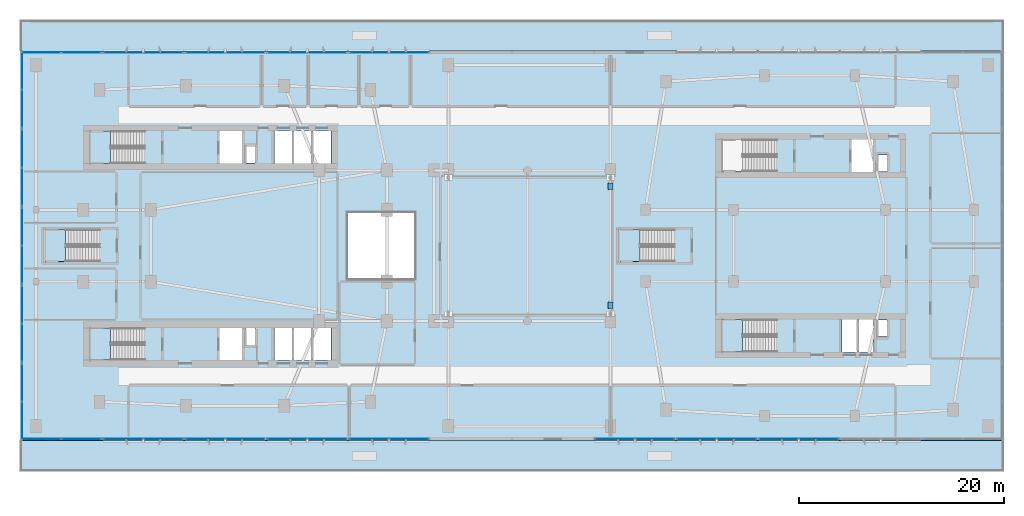
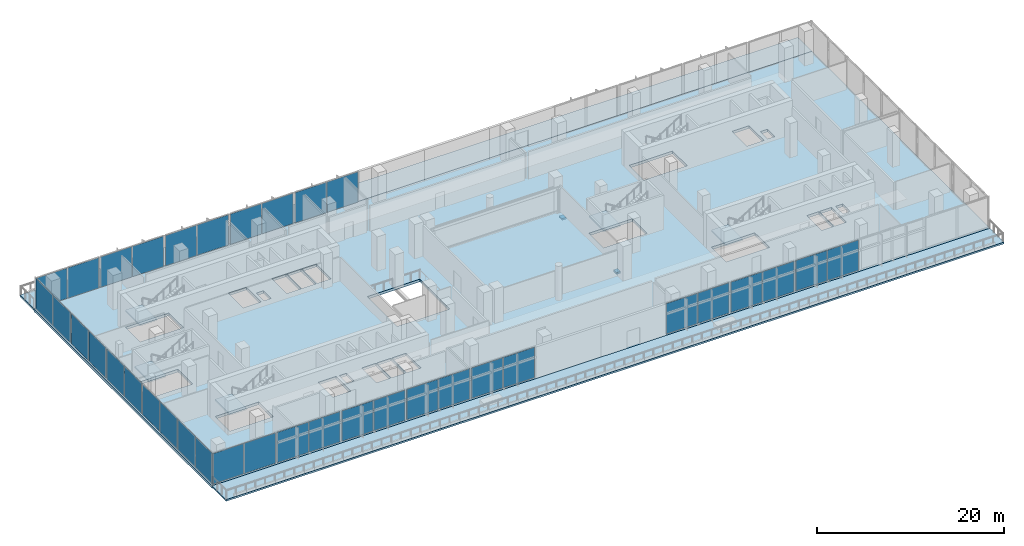
# One storey, part 11 of 31: 36 plates, 8 slabs, 2 members, 23 elements without a shape of their own.
"""IFC4 building model written with IfcOpenShell, lengths in metres."""

from ifc_helpers import new_model, si_unit, derived_unit, direction, frame, origin, origin_2d, place, context, subcontext, project, spatial, polyline, rectangle, outline, extrude, material, layer, layer_set, material_profile, profile_set, type_object, element, aggregate, save


model = new_model("IFC4")

# Units and contexts
model_context = context("Model", 3, precision=1e-05, world=origin(), true_north=direction((0.0, 1.0)))
body_context = subcontext(model_context, "Body", "Model", "MODEL_VIEW")
ifc_project = project(units=[si_unit("LENGTHUNIT", "METRE"), si_unit("AREAUNIT", "SQUARE_METRE"), si_unit("VOLUMEUNIT", "CUBIC_METRE"), si_unit("PLANEANGLEUNIT", "RADIAN"), si_unit("MASSUNIT", "GRAM", prefix="KILO"), derived_unit("THERMALTRANSMITTANCEUNIT", [(si_unit("POWERUNIT", "WATT"), 1), (si_unit("LENGTHUNIT", "METRE"), -2), (si_unit("THERMODYNAMICTEMPERATUREUNIT", "KELVIN"), -1)])], contexts=[model_context])

# Site, building, storey
site_placement = place(None, origin())
site = spatial("IfcSite", under=ifc_project, at=site_placement, CompositionType="ELEMENT")
building_placement = place(site_placement, origin())
building = spatial("IfcBuilding", under=site, at=building_placement, Name="Kivonza Crest Hotel", CompositionType="ELEMENT")
storey_placement = place(building_placement, frame((0.0, 0.0, 15.0)))
storey = spatial("IfcBuildingStorey", under=building, at=storey_placement, Name="L03", CompositionType="ELEMENT", Elevation=15.0)

# Members
ifc_material_1 = material(Name="Steel S355", Category="steel")
ifc_material_profile = material_profile(ifc_material_1, rectangle(XDim=0.52001953125, YDim=0.239990234375, at=origin_2d()), Name="BEARING 520x240")
ifc_profile_set = profile_set([ifc_material_profile], Name="Steel S355")
member_type = type_object("IfcMemberType", Name="MB-BEARING-520", PredefinedType="USERDEFINED", material=ifc_profile_set)
for number, where, z_axis, x_axis, name in (
    (1, (57.60009765625, 30.47998046875, -0.22998046875), (0.0, 1.0, 0.0), (-1.0, 0.0, 0.0), "Sliding bearing BRG-POD-N unguided biaxial PTFE spherical assembly"),
    (2, (57.60009765625, 18.8798828125, -0.22998046875), (0.0, 1.0, 0.0), (-1.0, 0.0, 0.0), "Sliding bearing BRG-POD-S unguided biaxial PTFE spherical assembly"),
):
    element("IfcMember", number, at=place(storey_placement, frame(where, z_axis=z_axis, x_axis=x_axis)), inside=storey, type_object=member_type, Name=name, ObjectType="BEARING", PredefinedType="USERDEFINED", context=body_context, shape_type="SweptSolid", body=[
        extrude(rectangle(XDim=0.52001953125, YDim=0.239990234375, at=origin_2d()), origin(), (0.0, 0.0, 1.0), 0.64013671875),
    ])

# Curtain wall, plates
ifc_material_2 = material(Name="Anodised bronze aluminium and low-E double glazing", Category="aluminium")
ifc_layer_1 = layer(ifc_material_2, 0.199951171875)
ifc_layer_set_1 = layer_set([ifc_layer_1], Name="Anodised bronze aluminium and low-E double glazing")
curtain_wall_type = type_object("IfcCurtainWallType", Name="CW-SYS-6", PredefinedType="NOTDEFINED", material=ifc_layer_set_1)
curtain_wall_1_placement = place(storey_placement, origin())
curtain_wall_1 = element("IfcCurtainWall", 3, at=curtain_wall_1_placement, inside=storey, type_object=curtain_wall_type, Name="L03 unitised curtain wall CW-POD-L03-01", PredefinedType="NOTDEFINED")
ifc_material_3 = material(Name="Acoustic triple-laminated low-E glazing", Category="glass")
ifc_layer_2 = layer(ifc_material_3, 0.035888671875)
ifc_layer_set_2 = layer_set([ifc_layer_2], Name="Acoustic triple-laminated low-E glazing")
plate_type = type_object("IfcPlateType", Name="CW-PNL-36", PredefinedType="CURTAIN_PANEL", material=ifc_layer_set_2)
plate_1_placement = place(storey_placement, frame((2.115478515625, 6.159912109375, 0.0751953125), z_axis=(0.0, 0.0, 1.0), x_axis=(1.0, 0.0, 0.0)))
plate_1 = element("IfcPlate", 4, at=plate_1_placement, type_object=plate_type, Name="CW-6 panel 1.1", PredefinedType="CURTAIN_PANEL", context=body_context, shape_type="SweptSolid", body=[
    extrude(rectangle(XDim=3.841064453125, YDim=0.035888671875, at=origin_2d()), origin(), (0.0, 0.0, 1.0), 3.949951171875),
])
plate_2_placement = place(storey_placement, frame((6.031494140625, 6.159912109375, 0.0751953125), z_axis=(0.0, 0.0, 1.0), x_axis=(1.0, 0.0, 0.0)))
plate_2 = element("IfcPlate", 5, at=plate_2_placement, type_object=plate_type, Name="CW-6 panel 2.1", PredefinedType="CURTAIN_PANEL", context=body_context, shape_type="SweptSolid", body=[
    extrude(rectangle(XDim=3.841064453125, YDim=0.035888671875, at=origin_2d()), origin(), (0.0, 0.0, 1.0), 3.949951171875),
])
aggregate(curtain_wall_1, [plate_1, plate_2])

curtain_wall_2_placement = place(storey_placement, origin())
curtain_wall_2 = element("IfcCurtainWall", 6, at=curtain_wall_2_placement, inside=storey, type_object=curtain_wall_type, Name="L03 unitised curtain wall CW-POD-L03-02", PredefinedType="NOTDEFINED")
plate_3_placement = place(storey_placement, frame((10.102294921875, 6.159912109375, 0.0751953125), z_axis=(0.0, 0.0, 1.0), x_axis=(1.0, 0.0, 0.0)))
plate_3 = element("IfcPlate", 7, at=plate_3_placement, type_object=plate_type, Name="CW-6 panel 1.1", PredefinedType="CURTAIN_PANEL", context=body_context, shape_type="SweptSolid", body=[
    extrude(rectangle(XDim=3.840576171875, YDim=0.035888671875, at=origin_2d()), origin(), (0.0, 0.0, 1.0), 3.949951171875),
])
plate_4_placement = place(storey_placement, frame((14.017822265625, 6.159912109375, 0.0751953125), z_axis=(0.0, 0.0, 1.0), x_axis=(1.0, 0.0, 0.0)))
plate_4 = element("IfcPlate", 8, at=plate_4_placement, type_object=plate_type, Name="CW-6 panel 2.1", PredefinedType="CURTAIN_PANEL", context=body_context, shape_type="SweptSolid", body=[
    extrude(rectangle(XDim=3.840576171875, YDim=0.035888671875, at=origin_2d()), origin(), (0.0, 0.0, 1.0), 3.949951171875),
])
aggregate(curtain_wall_2, [plate_3, plate_4])

curtain_wall_3_placement = place(storey_placement, origin())
curtain_wall_3 = element("IfcCurtainWall", 9, at=curtain_wall_3_placement, inside=storey, type_object=curtain_wall_type, Name="L03 unitised curtain wall CW-POD-L03-03", PredefinedType="NOTDEFINED")
plate_5_placement = place(storey_placement, frame((18.08837890625, 6.159912109375, 0.0751953125), z_axis=(0.0, 0.0, 1.0), x_axis=(1.0, 0.0, 0.0)))
plate_5 = element("IfcPlate", 10, at=plate_5_placement, type_object=plate_type, Name="CW-6 panel 1.1", PredefinedType="CURTAIN_PANEL", context=body_context, shape_type="SweptSolid", body=[
    extrude(rectangle(XDim=3.841064453125, YDim=0.035888671875, at=origin_2d()), origin(), (0.0, 0.0, 1.0), 3.949951171875),
])
plate_6_placement = place(storey_placement, frame((22.00439453125, 6.159912109375, 0.0751953125), z_axis=(0.0, 0.0, 1.0), x_axis=(1.0, 0.0, 0.0)))
plate_6 = element("IfcPlate", 11, at=plate_6_placement, type_object=plate_type, Name="CW-6 panel 2.1", PredefinedType="CURTAIN_PANEL", context=body_context, shape_type="SweptSolid", body=[
    extrude(rectangle(XDim=3.841064453125, YDim=0.035888671875, at=origin_2d()), origin(), (0.0, 0.0, 1.0), 3.949951171875),
])
aggregate(curtain_wall_3, [plate_5, plate_6])

curtain_wall_4_placement = place(storey_placement, origin())
curtain_wall_4 = element("IfcCurtainWall", 12, at=curtain_wall_4_placement, inside=storey, type_object=curtain_wall_type, Name="L03 unitised curtain wall CW-POD-L03-04", PredefinedType="NOTDEFINED")
plate_7_placement = place(storey_placement, frame((26.075439453125, 6.159912109375, 0.0751953125), z_axis=(0.0, 0.0, 1.0), x_axis=(1.0, 0.0, 0.0)))
plate_7 = element("IfcPlate", 13, at=plate_7_placement, type_object=plate_type, Name="CW-6 panel 1.1", PredefinedType="CURTAIN_PANEL", context=body_context, shape_type="SweptSolid", body=[
    extrude(rectangle(XDim=3.841064453125, YDim=0.035888671875, at=origin_2d()), origin(), (0.0, 0.0, 1.0), 3.949951171875),
])
plate_8_placement = place(storey_placement, frame((29.991455078125, 6.159912109375, 0.0751953125), z_axis=(0.0, 0.0, 1.0), x_axis=(1.0, 0.0, 0.0)))
plate_8 = element("IfcPlate", 14, at=plate_8_placement, type_object=plate_type, Name="CW-6 panel 2.1", PredefinedType="CURTAIN_PANEL", context=body_context, shape_type="SweptSolid", body=[
    extrude(rectangle(XDim=3.841064453125, YDim=0.035888671875, at=origin_2d()), origin(), (0.0, 0.0, 1.0), 3.949951171875),
])
aggregate(curtain_wall_4, [plate_7, plate_8])

curtain_wall_5_placement = place(storey_placement, origin())
curtain_wall_5 = element("IfcCurtainWall", 15, at=curtain_wall_5_placement, inside=storey, type_object=curtain_wall_type, Name="L03 unitised curtain wall CW-POD-L03-05", PredefinedType="NOTDEFINED")
plate_9_placement = place(storey_placement, frame((34.062255859375, 6.159912109375, 0.0751953125), z_axis=(0.0, 0.0, 1.0), x_axis=(1.0, 0.0, 0.0)))
plate_9 = element("IfcPlate", 16, at=plate_9_placement, type_object=plate_type, Name="CW-6 panel 1.1", PredefinedType="CURTAIN_PANEL", context=body_context, shape_type="SweptSolid", body=[
    extrude(rectangle(XDim=3.840576171875, YDim=0.035888671875, at=origin_2d()), origin(), (0.0, 0.0, 1.0), 3.949951171875),
])
plate_10_placement = place(storey_placement, frame((37.977783203125, 6.159912109375, 0.0751953125), z_axis=(0.0, 0.0, 1.0), x_axis=(1.0, 0.0, 0.0)))
plate_10 = element("IfcPlate", 17, at=plate_10_placement, type_object=plate_type, Name="CW-6 panel 2.1", PredefinedType="CURTAIN_PANEL", context=body_context, shape_type="SweptSolid", body=[
    extrude(rectangle(XDim=3.840576171875, YDim=0.035888671875, at=origin_2d()), origin(), (0.0, 0.0, 1.0), 3.949951171875),
])
aggregate(curtain_wall_5, [plate_9, plate_10])

curtain_wall_6_placement = place(storey_placement, origin())
curtain_wall_6 = element("IfcCurtainWall", 18, at=curtain_wall_6_placement, inside=storey, type_object=curtain_wall_type, Name="L03 unitised curtain wall CW-POD-L03-08", PredefinedType="NOTDEFINED")
plate_11_placement = place(storey_placement, frame((58.022216796875, 6.159912109375, 0.0751953125), z_axis=(0.0, 0.0, 1.0), x_axis=(1.0, 0.0, 0.0)))
plate_11 = element("IfcPlate", 19, at=plate_11_placement, type_object=plate_type, Name="CW-6 panel 1.1", PredefinedType="CURTAIN_PANEL", context=body_context, shape_type="SweptSolid", body=[
    extrude(rectangle(XDim=3.840576171875, YDim=0.035888671875, at=origin_2d()), origin(), (0.0, 0.0, 1.0), 3.949951171875),
])
plate_12_placement = place(storey_placement, frame((61.937744140625, 6.159912109375, 0.0751953125), z_axis=(0.0, 0.0, 1.0), x_axis=(1.0, 0.0, 0.0)))
plate_12 = element("IfcPlate", 20, at=plate_12_placement, type_object=plate_type, Name="CW-6 panel 2.1", PredefinedType="CURTAIN_PANEL", context=body_context, shape_type="SweptSolid", body=[
    extrude(rectangle(XDim=3.840576171875, YDim=0.035888671875, at=origin_2d()), origin(), (0.0, 0.0, 1.0), 3.949951171875),
])
aggregate(curtain_wall_6, [plate_11, plate_12])

curtain_wall_7_placement = place(storey_placement, origin())
curtain_wall_7 = element("IfcCurtainWall", 21, at=curtain_wall_7_placement, inside=storey, type_object=curtain_wall_type, Name="L03 unitised curtain wall CW-POD-L03-09", PredefinedType="NOTDEFINED")
plate_13_placement = place(storey_placement, frame((66.008544921875, 6.159912109375, 0.0751953125), z_axis=(0.0, 0.0, 1.0), x_axis=(1.0, 0.0, 0.0)))
plate_13 = element("IfcPlate", 22, at=plate_13_placement, type_object=plate_type, Name="CW-6 panel 1.1", PredefinedType="CURTAIN_PANEL", context=body_context, shape_type="SweptSolid", body=[
    extrude(rectangle(XDim=3.841064453125, YDim=0.035888671875, at=origin_2d()), origin(), (0.0, 0.0, 1.0), 3.949951171875),
])
plate_14_placement = place(storey_placement, frame((69.924560546875, 6.159912109375, 0.0751953125), z_axis=(0.0, 0.0, 1.0), x_axis=(1.0, 0.0, 0.0)))
plate_14 = element("IfcPlate", 23, at=plate_14_placement, type_object=plate_type, Name="CW-6 panel 2.1", PredefinedType="CURTAIN_PANEL", context=body_context, shape_type="SweptSolid", body=[
    extrude(rectangle(XDim=3.841064453125, YDim=0.035888671875, at=origin_2d()), origin(), (0.0, 0.0, 1.0), 3.949951171875),
])
aggregate(curtain_wall_7, [plate_13, plate_14])

curtain_wall_8_placement = place(storey_placement, origin())
curtain_wall_8 = element("IfcCurtainWall", 24, at=curtain_wall_8_placement, inside=storey, type_object=curtain_wall_type, Name="L03 unitised curtain wall CW-POD-L03-10", PredefinedType="NOTDEFINED")
plate_15_placement = place(storey_placement, frame((73.99560546875, 6.159912109375, 0.0751953125), z_axis=(0.0, 0.0, 1.0), x_axis=(1.0, 0.0, 0.0)))
plate_15 = element("IfcPlate", 25, at=plate_15_placement, type_object=plate_type, Name="CW-6 panel 1.1", PredefinedType="CURTAIN_PANEL", context=body_context, shape_type="SweptSolid", body=[
    extrude(rectangle(XDim=3.841064453125, YDim=0.035888671875, at=origin_2d()), origin(), (0.0, 0.0, 1.0), 3.949951171875),
])
plate_16_placement = place(storey_placement, frame((77.91162109375, 6.159912109375, 0.0751953125), z_axis=(0.0, 0.0, 1.0), x_axis=(1.0, 0.0, 0.0)))
plate_16 = element("IfcPlate", 26, at=plate_16_placement, type_object=plate_type, Name="CW-6 panel 2.1", PredefinedType="CURTAIN_PANEL", context=body_context, shape_type="SweptSolid", body=[
    extrude(rectangle(XDim=3.841064453125, YDim=0.035888671875, at=origin_2d()), origin(), (0.0, 0.0, 1.0), 3.949951171875),
])
aggregate(curtain_wall_8, [plate_15, plate_16])

curtain_wall_9_placement = place(storey_placement, origin())
curtain_wall_9 = element("IfcCurtainWall", 27, at=curtain_wall_9_placement, inside=storey, type_object=curtain_wall_type, Name="L03 unitised curtain wall CW-POD-L03-25", PredefinedType="NOTDEFINED")
plate_17_placement = place(storey_placement, frame((37.977783203125, 43.840087890625, 0.0751953125), z_axis=(0.0, 0.0, 1.0), x_axis=(-1.0, 0.0, 0.0)))
plate_17 = element("IfcPlate", 28, at=plate_17_placement, type_object=plate_type, Name="CW-6 panel 1.1", PredefinedType="CURTAIN_PANEL", context=body_context, shape_type="SweptSolid", body=[
    extrude(rectangle(XDim=3.840576171875, YDim=0.035888671875, at=origin_2d()), origin(), (0.0, 0.0, 1.0), 3.949951171875),
])
plate_18_placement = place(storey_placement, frame((34.062255859375, 43.840087890625, 0.0751953125), z_axis=(0.0, 0.0, 1.0), x_axis=(-1.0, 0.0, 0.0)))
plate_18 = element("IfcPlate", 29, at=plate_18_placement, type_object=plate_type, Name="CW-6 panel 2.1", PredefinedType="CURTAIN_PANEL", context=body_context, shape_type="SweptSolid", body=[
    extrude(rectangle(XDim=3.840576171875, YDim=0.035888671875, at=origin_2d()), origin(), (0.0, 0.0, 1.0), 3.949951171875),
])
aggregate(curtain_wall_9, [plate_17, plate_18])

curtain_wall_10_placement = place(storey_placement, origin())
curtain_wall_10 = element("IfcCurtainWall", 30, at=curtain_wall_10_placement, inside=storey, type_object=curtain_wall_type, Name="L03 unitised curtain wall CW-POD-L03-26", PredefinedType="NOTDEFINED")
plate_19_placement = place(storey_placement, frame((29.991455078125, 43.840087890625, 0.0751953125), z_axis=(0.0, 0.0, 1.0), x_axis=(-1.0, 0.0, 0.0)))
plate_19 = element("IfcPlate", 31, at=plate_19_placement, type_object=plate_type, Name="CW-6 panel 1.1", PredefinedType="CURTAIN_PANEL", context=body_context, shape_type="SweptSolid", body=[
    extrude(rectangle(XDim=3.841064453125, YDim=0.035888671875, at=origin_2d()), origin(), (0.0, 0.0, 1.0), 3.949951171875),
])
plate_20_placement = place(storey_placement, frame((26.075439453125, 43.840087890625, 0.0751953125), z_axis=(0.0, 0.0, 1.0), x_axis=(-1.0, 0.0, 0.0)))
plate_20 = element("IfcPlate", 32, at=plate_20_placement, type_object=plate_type, Name="CW-6 panel 2.1", PredefinedType="CURTAIN_PANEL", context=body_context, shape_type="SweptSolid", body=[
    extrude(rectangle(XDim=3.841064453125, YDim=0.035888671875, at=origin_2d()), origin(), (0.0, 0.0, 1.0), 3.949951171875),
])
aggregate(curtain_wall_10, [plate_19, plate_20])

curtain_wall_11_placement = place(storey_placement, origin())
curtain_wall_11 = element("IfcCurtainWall", 33, at=curtain_wall_11_placement, inside=storey, type_object=curtain_wall_type, Name="L03 unitised curtain wall CW-POD-L03-27", PredefinedType="NOTDEFINED")
plate_21_placement = place(storey_placement, frame((22.00439453125, 43.840087890625, 0.0751953125), z_axis=(0.0, 0.0, 1.0), x_axis=(-1.0, 0.0, 0.0)))
plate_21 = element("IfcPlate", 34, at=plate_21_placement, type_object=plate_type, Name="CW-6 panel 1.1", PredefinedType="CURTAIN_PANEL", context=body_context, shape_type="SweptSolid", body=[
    extrude(rectangle(XDim=3.841064453125, YDim=0.035888671875, at=origin_2d()), origin(), (0.0, 0.0, 1.0), 3.949951171875),
])
plate_22_placement = place(storey_placement, frame((18.08837890625, 43.840087890625, 0.0751953125), z_axis=(0.0, 0.0, 1.0), x_axis=(-1.0, 0.0, 0.0)))
plate_22 = element("IfcPlate", 35, at=plate_22_placement, type_object=plate_type, Name="CW-6 panel 2.1", PredefinedType="CURTAIN_PANEL", context=body_context, shape_type="SweptSolid", body=[
    extrude(rectangle(XDim=3.841064453125, YDim=0.035888671875, at=origin_2d()), origin(), (0.0, 0.0, 1.0), 3.949951171875),
])
aggregate(curtain_wall_11, [plate_21, plate_22])

curtain_wall_12_placement = place(storey_placement, origin())
curtain_wall_12 = element("IfcCurtainWall", 36, at=curtain_wall_12_placement, inside=storey, type_object=curtain_wall_type, Name="L03 unitised curtain wall CW-POD-L03-28", PredefinedType="NOTDEFINED")
plate_23_placement = place(storey_placement, frame((14.017822265625, 43.840087890625, 0.0751953125), z_axis=(0.0, 0.0, 1.0), x_axis=(-1.0, 0.0, 0.0)))
plate_23 = element("IfcPlate", 37, at=plate_23_placement, type_object=plate_type, Name="CW-6 panel 1.1", PredefinedType="CURTAIN_PANEL", context=body_context, shape_type="SweptSolid", body=[
    extrude(rectangle(XDim=3.840576171875, YDim=0.035888671875, at=origin_2d()), origin(), (0.0, 0.0, 1.0), 3.949951171875),
])
plate_24_placement = place(storey_placement, frame((10.102294921875, 43.840087890625, 0.0751953125), z_axis=(0.0, 0.0, 1.0), x_axis=(-1.0, 0.0, 0.0)))
plate_24 = element("IfcPlate", 38, at=plate_24_placement, type_object=plate_type, Name="CW-6 panel 2.1", PredefinedType="CURTAIN_PANEL", context=body_context, shape_type="SweptSolid", body=[
    extrude(rectangle(XDim=3.840576171875, YDim=0.035888671875, at=origin_2d()), origin(), (0.0, 0.0, 1.0), 3.949951171875),
])
aggregate(curtain_wall_12, [plate_23, plate_24])

curtain_wall_13_placement = place(storey_placement, origin())
curtain_wall_13 = element("IfcCurtainWall", 39, at=curtain_wall_13_placement, inside=storey, type_object=curtain_wall_type, Name="L03 unitised curtain wall CW-POD-L03-29", PredefinedType="NOTDEFINED")
plate_25_placement = place(storey_placement, frame((6.031494140625, 43.840087890625, 0.0751953125), z_axis=(0.0, 0.0, 1.0), x_axis=(-1.0, 0.0, 0.0)))
plate_25 = element("IfcPlate", 40, at=plate_25_placement, type_object=plate_type, Name="CW-6 panel 1.1", PredefinedType="CURTAIN_PANEL", context=body_context, shape_type="SweptSolid", body=[
    extrude(rectangle(XDim=3.841064453125, YDim=0.035888671875, at=origin_2d()), origin(), (0.0, 0.0, 1.0), 3.949951171875),
])
plate_26_placement = place(storey_placement, frame((2.115478515625, 43.840087890625, 0.0751953125), z_axis=(0.0, 0.0, 1.0), x_axis=(-1.0, 0.0, 0.0)))
plate_26 = element("IfcPlate", 41, at=plate_26_placement, type_object=plate_type, Name="CW-6 panel 2.1", PredefinedType="CURTAIN_PANEL", context=body_context, shape_type="SweptSolid", body=[
    extrude(rectangle(XDim=3.841064453125, YDim=0.035888671875, at=origin_2d()), origin(), (0.0, 0.0, 1.0), 3.949951171875),
])
aggregate(curtain_wall_13, [plate_25, plate_26])

curtain_wall_14_placement = place(storey_placement, origin())
curtain_wall_14 = element("IfcCurtainWall", 42, at=curtain_wall_14_placement, inside=storey, type_object=curtain_wall_type, Name="L03 unitised curtain wall CW-POD-L03-30", PredefinedType="NOTDEFINED")
plate_27_placement = place(storey_placement, frame((0.239990234375, 42.061279296875, 0.0751953125), z_axis=(0.0, 0.0, 1.0), x_axis=(0.0, -1.0, 0.0)))
plate_27 = element("IfcPlate", 43, at=plate_27_placement, type_object=plate_type, Name="CW-6 panel 1.1", PredefinedType="CURTAIN_PANEL", context=body_context, shape_type="SweptSolid", body=[
    extrude(rectangle(XDim=3.6474609375, YDim=0.035888671875, at=origin_2d()), origin(), (0.0, 0.0, 1.0), 3.949951171875),
])
plate_28_placement = place(storey_placement, frame((0.239990234375, 38.3388671875, 0.0751953125), z_axis=(0.0, 0.0, 1.0), x_axis=(0.0, -1.0, 0.0)))
plate_28 = element("IfcPlate", 44, at=plate_28_placement, type_object=plate_type, Name="CW-6 panel 2.1", PredefinedType="CURTAIN_PANEL", context=body_context, shape_type="SweptSolid", body=[
    extrude(rectangle(XDim=3.6474609375, YDim=0.035888671875, at=origin_2d()), origin(), (0.0, 0.0, 1.0), 3.949951171875),
])
aggregate(curtain_wall_14, [plate_27, plate_28])

curtain_wall_15_placement = place(storey_placement, origin())
curtain_wall_15 = element("IfcCurtainWall", 45, at=curtain_wall_15_placement, inside=storey, type_object=curtain_wall_type, Name="L03 unitised curtain wall CW-POD-L03-31", PredefinedType="NOTDEFINED")
plate_29_placement = place(storey_placement, frame((0.239990234375, 34.461181640625, 0.0751953125), z_axis=(0.0, 0.0, 1.0), x_axis=(0.0, -1.0, 0.0)))
plate_29 = element("IfcPlate", 46, at=plate_29_placement, type_object=plate_type, Name="CW-6 panel 1.1", PredefinedType="CURTAIN_PANEL", context=body_context, shape_type="SweptSolid", body=[
    extrude(rectangle(XDim=3.6474609375, YDim=0.035888671875, at=origin_2d()), origin(), (0.0, 0.0, 1.0), 3.949951171875),
])
plate_30_placement = place(storey_placement, frame((0.239990234375, 30.73876953125, 0.0751953125), z_axis=(0.0, 0.0, 1.0), x_axis=(0.0, -1.0, 0.0)))
plate_30 = element("IfcPlate", 47, at=plate_30_placement, type_object=plate_type, Name="CW-6 panel 2.1", PredefinedType="CURTAIN_PANEL", context=body_context, shape_type="SweptSolid", body=[
    extrude(rectangle(XDim=3.6474609375, YDim=0.035888671875, at=origin_2d()), origin(), (0.0, 0.0, 1.0), 3.949951171875),
])
aggregate(curtain_wall_15, [plate_29, plate_30])

curtain_wall_16_placement = place(storey_placement, origin())
curtain_wall_16 = element("IfcCurtainWall", 48, at=curtain_wall_16_placement, inside=storey, type_object=curtain_wall_type, Name="L03 unitised curtain wall CW-POD-L03-32", PredefinedType="NOTDEFINED")
plate_31_placement = place(storey_placement, frame((0.239990234375, 26.861328125, 0.0751953125), z_axis=(0.0, 0.0, 1.0), x_axis=(0.0, -1.0, 0.0)))
plate_31 = element("IfcPlate", 49, at=plate_31_placement, type_object=plate_type, Name="CW-6 panel 1.1", PredefinedType="CURTAIN_PANEL", context=body_context, shape_type="SweptSolid", body=[
    extrude(rectangle(XDim=3.6474609375, YDim=0.035888671875, at=origin_2d()), origin(), (0.0, 0.0, 1.0), 3.949951171875),
])
plate_32_placement = place(storey_placement, frame((0.239990234375, 23.138671875, 0.0751953125), z_axis=(0.0, 0.0, 1.0), x_axis=(0.0, -1.0, 0.0)))
plate_32 = element("IfcPlate", 50, at=plate_32_placement, type_object=plate_type, Name="CW-6 panel 2.1", PredefinedType="CURTAIN_PANEL", context=body_context, shape_type="SweptSolid", body=[
    extrude(rectangle(XDim=3.6474609375, YDim=0.035888671875, at=origin_2d()), origin(), (0.0, 0.0, 1.0), 3.949951171875),
])
aggregate(curtain_wall_16, [plate_31, plate_32])

curtain_wall_17_placement = place(storey_placement, origin())
curtain_wall_17 = element("IfcCurtainWall", 51, at=curtain_wall_17_placement, inside=storey, type_object=curtain_wall_type, Name="L03 unitised curtain wall CW-POD-L03-33", PredefinedType="NOTDEFINED")
plate_33_placement = place(storey_placement, frame((0.239990234375, 19.26123046875, 0.0751953125), z_axis=(0.0, 0.0, 1.0), x_axis=(0.0, -1.0, 0.0)))
plate_33 = element("IfcPlate", 52, at=plate_33_placement, type_object=plate_type, Name="CW-6 panel 1.1", PredefinedType="CURTAIN_PANEL", context=body_context, shape_type="SweptSolid", body=[
    extrude(rectangle(XDim=3.6474609375, YDim=0.035888671875, at=origin_2d()), origin(), (0.0, 0.0, 1.0), 3.949951171875),
])
plate_34_placement = place(storey_placement, frame((0.239990234375, 15.538818359375, 0.0751953125), z_axis=(0.0, 0.0, 1.0), x_axis=(0.0, -1.0, 0.0)))
plate_34 = element("IfcPlate", 53, at=plate_34_placement, type_object=plate_type, Name="CW-6 panel 2.1", PredefinedType="CURTAIN_PANEL", context=body_context, shape_type="SweptSolid", body=[
    extrude(rectangle(XDim=3.6474609375, YDim=0.035888671875, at=origin_2d()), origin(), (0.0, 0.0, 1.0), 3.949951171875),
])
aggregate(curtain_wall_17, [plate_33, plate_34])

curtain_wall_18_placement = place(storey_placement, origin())
curtain_wall_18 = element("IfcCurtainWall", 54, at=curtain_wall_18_placement, inside=storey, type_object=curtain_wall_type, Name="L03 unitised curtain wall CW-POD-L03-34", PredefinedType="NOTDEFINED")
plate_35_placement = place(storey_placement, frame((0.239990234375, 11.6611328125, 0.0751953125), z_axis=(0.0, 0.0, 1.0), x_axis=(0.0, -1.0, 0.0)))
plate_35 = element("IfcPlate", 55, at=plate_35_placement, type_object=plate_type, Name="CW-6 panel 1.1", PredefinedType="CURTAIN_PANEL", context=body_context, shape_type="SweptSolid", body=[
    extrude(rectangle(XDim=3.6474609375, YDim=0.035888671875, at=origin_2d()), origin(), (0.0, 0.0, 1.0), 3.949951171875),
])
plate_36_placement = place(storey_placement, frame((0.239990234375, 7.938720703125, 0.0751953125), z_axis=(0.0, 0.0, 1.0), x_axis=(0.0, -1.0, 0.0)))
plate_36 = element("IfcPlate", 56, at=plate_36_placement, type_object=plate_type, Name="CW-6 panel 2.1", PredefinedType="CURTAIN_PANEL", context=body_context, shape_type="SweptSolid", body=[
    extrude(rectangle(XDim=3.6474609375, YDim=0.035888671875, at=origin_2d()), origin(), (0.0, 0.0, 1.0), 3.949951171875),
])
aggregate(curtain_wall_18, [plate_35, plate_36])

# Stair, slab
ifc_material_4 = material(Name="Concrete C40/50", Category="concrete")
stair_type = type_object("IfcStairType", Name="ST-DL-26R", PredefinedType="HALF_TURN_STAIR", material=ifc_material_4)
stair_1_placement = place(storey_placement, origin())
stair_1 = element("IfcStair", 57, at=stair_1_placement, inside=storey, type_object=stair_type, Name="L03 Protected Exit Stair ST-T1-N", PredefinedType="HALF_TURN_STAIR")
ifc_layer_3 = layer(ifc_material_4, 0.199951171875)
ifc_layer_set_3 = layer_set([ifc_layer_3], Name="Concrete C40/50")
slab_type_1 = type_object("IfcSlabType", Name="SL-LAND-200", PredefinedType="LANDING", material=ifc_layer_set_3)
slab_1_placement = place(storey_placement, frame((0.0, 0.0, 2.050048828125)))
slab_1 = element("IfcSlab", 58, at=slab_1_placement, type_object=slab_type_1, Name="ST-T1-N landing 1", PredefinedType="LANDING", context=body_context, shape_type="SweptSolid", body=[
    extrude(outline(polyline([(8.8798828125, 36.159912109375), (6.800048828125, 36.159912109375), (6.800048828125, 33.02001953125), (8.8798828125, 33.02001953125), (8.8798828125, 36.159912109375)])), origin(), (0.0, 0.0, 1.0), 0.199951171875),
])
aggregate(stair_1, [slab_1])

stair_2_placement = place(storey_placement, origin())
stair_2 = element("IfcStair", 59, at=stair_2_placement, inside=storey, type_object=stair_type, Name="L03 Protected Exit Stair ST-T1-S", PredefinedType="HALF_TURN_STAIR")
slab_2_placement = place(storey_placement, frame((0.0, 0.0, 2.050048828125)))
slab_2 = element("IfcSlab", 60, at=slab_2_placement, type_object=slab_type_1, Name="ST-T1-S landing 1", PredefinedType="LANDING", context=body_context, shape_type="SweptSolid", body=[
    extrude(outline(polyline([(8.8798828125, 17.0), (6.800048828125, 17.0), (6.800048828125, 13.860107421875), (8.8798828125, 13.860107421875), (8.8798828125, 17.0)])), origin(), (0.0, 0.0, 1.0), 0.199951171875),
])
aggregate(stair_2, [slab_2])

stair_3_placement = place(storey_placement, origin())
stair_3 = element("IfcStair", 61, at=stair_3_placement, inside=storey, type_object=stair_type, Name="L03 Protected Exit Stair ST-T2-S", PredefinedType="HALF_TURN_STAIR")
slab_3_placement = place(storey_placement, frame((0.0, 0.0, 2.050048828125)))
slab_3 = element("IfcSlab", 62, at=slab_3_placement, type_object=slab_type_1, Name="ST-T2-S landing 1", PredefinedType="LANDING", context=body_context, shape_type="SweptSolid", body=[
    extrude(outline(polyline([(70.47998046875, 17.800048828125), (68.39990234375, 17.800048828125), (68.39990234375, 14.659912109375), (70.47998046875, 14.659912109375), (70.47998046875, 17.800048828125)])), origin(), (0.0, 0.0, 1.0), 0.199951171875),
])
aggregate(stair_3, [slab_3])

stair_4_placement = place(storey_placement, origin())
stair_4 = element("IfcStair", 63, at=stair_4_placement, inside=storey, type_object=stair_type, Name="L03 Podium Escape Stair ST-POD-W", PredefinedType="HALF_TURN_STAIR")
slab_4_placement = place(storey_placement, frame((0.0, 0.0, 2.050048828125)))
slab_4 = element("IfcSlab", 64, at=slab_4_placement, type_object=slab_type_1, Name="ST-POD-W landing 1", PredefinedType="LANDING", context=body_context, shape_type="SweptSolid", body=[
    extrude(outline(polyline([(4.47998046875, 26.580078125), (2.39990234375, 26.580078125), (2.39990234375, 23.43994140625), (4.47998046875, 23.43994140625), (4.47998046875, 26.580078125)])), origin(), (0.0, 0.0, 1.0), 0.199951171875),
])
aggregate(stair_4, [slab_4])

stair_5_placement = place(storey_placement, origin())
stair_5 = element("IfcStair", 65, at=stair_5_placement, inside=storey, type_object=stair_type, Name="L03 Podium Escape Stair ST-POD-E", PredefinedType="HALF_TURN_STAIR")
slab_5_placement = place(storey_placement, frame((0.0, 0.0, 2.050048828125)))
slab_5 = element("IfcSlab", 66, at=slab_5_placement, type_object=slab_type_1, Name="ST-POD-E landing 1", PredefinedType="LANDING", context=body_context, shape_type="SweptSolid", body=[
    extrude(outline(polyline([(60.47998046875, 26.580078125), (58.39990234375, 26.580078125), (58.39990234375, 23.43994140625), (60.47998046875, 23.43994140625), (60.47998046875, 26.580078125)])), origin(), (0.0, 0.0, 1.0), 0.199951171875),
])
aggregate(stair_5, [slab_5])

# Slabs
ifc_layer_4 = layer(ifc_material_4, 0.35009765625)
ifc_layer_set_4 = layer_set([ifc_layer_4], Name="Concrete C40/50")
slab_type_2 = type_object("IfcSlabType", Name="SL-POD-350", PredefinedType="FLOOR", material=ifc_layer_set_4)
slab_6_placement = place(storey_placement, frame((0.0, 0.0, -0.35009765625)))
element("IfcSlab", 67, at=slab_6_placement, inside=storey, type_object=slab_type_2, Name="L03 structural floor plate", PredefinedType="FLOOR", context=body_context, shape_type="SweptSolid", body=[
    extrude(outline(polyline([(0.080078125, 6.0), (95.919921875, 6.0), (95.919921875, 44.0), (0.080078125, 44.0), (0.080078125, 6.0)]), holes=[polyline([(6.800048828125, 33.02001953125), (12.159912109375, 33.02001953125), (12.159912109375, 36.159912109375), (6.800048828125, 36.159912109375), (6.800048828125, 33.02001953125)]), polyline([(6.800048828125, 13.860107421875), (12.159912109375, 13.860107421875), (12.159912109375, 17.0), (6.800048828125, 17.0), (6.800048828125, 13.860107421875)]), polyline([(68.39990234375, 32.219970703125), (73.760009765625, 32.219970703125), (73.760009765625, 35.360107421875), (68.39990234375, 35.360107421875), (68.39990234375, 32.219970703125)]), polyline([(68.39990234375, 14.659912109375), (73.760009765625, 14.659912109375), (73.760009765625, 17.800048828125), (68.39990234375, 17.800048828125), (68.39990234375, 14.659912109375)]), polyline([(2.39990234375, 23.43994140625), (7.760009765625, 23.43994140625), (7.760009765625, 26.580078125), (2.39990234375, 26.580078125), (2.39990234375, 23.43994140625)]), polyline([(58.39990234375, 23.43994140625), (63.760009765625, 23.43994140625), (63.760009765625, 26.580078125), (58.39990234375, 26.580078125), (58.39990234375, 23.43994140625)]), polyline([(22.080078125, 33.0400390625), (22.969970703125, 33.0400390625), (22.969970703125, 34.679931640625), (22.080078125, 34.679931640625), (22.080078125, 33.0400390625)]), polyline([(22.080078125, 15.320068359375), (22.969970703125, 15.320068359375), (22.969970703125, 16.9599609375), (22.080078125, 16.9599609375), (22.080078125, 15.320068359375)]), polyline([(83.679931640625, 32.239990234375), (84.570068359375, 32.239990234375), (84.570068359375, 33.820068359375), (83.679931640625, 33.820068359375), (83.679931640625, 32.239990234375)]), polyline([(83.679931640625, 16.179931640625), (84.570068359375, 16.179931640625), (84.570068359375, 17.760009765625), (83.679931640625, 17.760009765625), (83.679931640625, 16.179931640625)]), polyline([(19.5, 33.0), (21.699951171875, 33.0), (21.699951171875, 36.159912109375), (19.5, 36.159912109375), (19.5, 33.0)]), polyline([(24.860107421875, 33.0), (26.60693359375, 33.0), (26.60693359375, 36.159912109375), (24.860107421875, 36.159912109375), (24.860107421875, 33.0)]), polyline([(26.72705078125, 33.0), (28.472900390625, 33.0), (28.472900390625, 36.159912109375), (26.72705078125, 36.159912109375), (26.72705078125, 33.0)]), polyline([(28.593017578125, 33.0), (30.340087890625, 33.0), (30.340087890625, 36.159912109375), (28.593017578125, 36.159912109375), (28.593017578125, 33.0)]), polyline([(19.5, 13.840087890625), (21.699951171875, 13.840087890625), (21.699951171875, 17.0), (19.5, 17.0), (19.5, 13.840087890625)]), polyline([(24.860107421875, 13.840087890625), (26.60693359375, 13.840087890625), (26.60693359375, 17.0), (24.860107421875, 17.0), (24.860107421875, 13.840087890625)]), polyline([(26.72705078125, 13.840087890625), (28.472900390625, 13.840087890625), (28.472900390625, 17.0), (26.72705078125, 17.0), (26.72705078125, 13.840087890625)]), polyline([(28.593017578125, 13.840087890625), (30.340087890625, 13.840087890625), (30.340087890625, 17.0), (28.593017578125, 17.0), (28.593017578125, 13.840087890625)]), polyline([(81.10009765625, 32.199951171875), (83.199951171875, 32.199951171875), (83.199951171875, 35.360107421875), (81.10009765625, 35.360107421875), (81.10009765625, 32.199951171875)]), polyline([(80.159912109375, 14.639892578125), (81.639892578125, 14.639892578125), (81.639892578125, 17.800048828125), (80.159912109375, 17.800048828125), (80.159912109375, 14.639892578125)]), polyline([(81.760009765625, 14.639892578125), (83.239990234375, 14.639892578125), (83.239990234375, 17.800048828125), (81.760009765625, 17.800048828125), (81.760009765625, 14.639892578125)]), polyline([(32.0, 21.800048828125), (38.5, 21.800048828125), (38.5, 28.199951171875), (32.0, 28.199951171875), (32.0, 21.800048828125)])]), origin(), (0.0, 0.0, 1.0), 0.35009765625),
])
ifc_layer_5 = layer(ifc_material_4, 0.219970703125)
ifc_layer_set_5 = layer_set([ifc_layer_5], Name="Concrete C40/50")
slab_type_3 = type_object("IfcSlabType", Name="SL-TERR-220", PredefinedType="FLOOR", material=ifc_layer_set_5)
slab_7_placement = place(storey_placement, frame((0.0, 0.0, -0.219970703125)))
element("IfcSlab", 68, at=slab_7_placement, inside=storey, type_object=slab_type_3, Name="L03 outdoor planted podium terrace 1", PredefinedType="FLOOR", context=body_context, shape_type="SweptSolid", body=[
    extrude(outline(polyline([(0.080078125, 3.0), (95.919921875, 3.0), (95.919921875, 6.0), (0.080078125, 6.0), (0.080078125, 3.0)])), origin(), (0.0, 0.0, 1.0), 0.219970703125),
])
slab_8_placement = place(storey_placement, frame((0.0, 0.0, -0.219970703125)))
element("IfcSlab", 69, at=slab_8_placement, inside=storey, type_object=slab_type_3, Name="L03 outdoor planted podium terrace 2", PredefinedType="FLOOR", context=body_context, shape_type="SweptSolid", body=[
    extrude(outline(polyline([(0.080078125, 44.0), (95.919921875, 44.0), (95.919921875, 47.0), (0.080078125, 47.0), (0.080078125, 44.0)])), origin(), (0.0, 0.0, 1.0), 0.219970703125),
])

save(model, "model.ifc")
